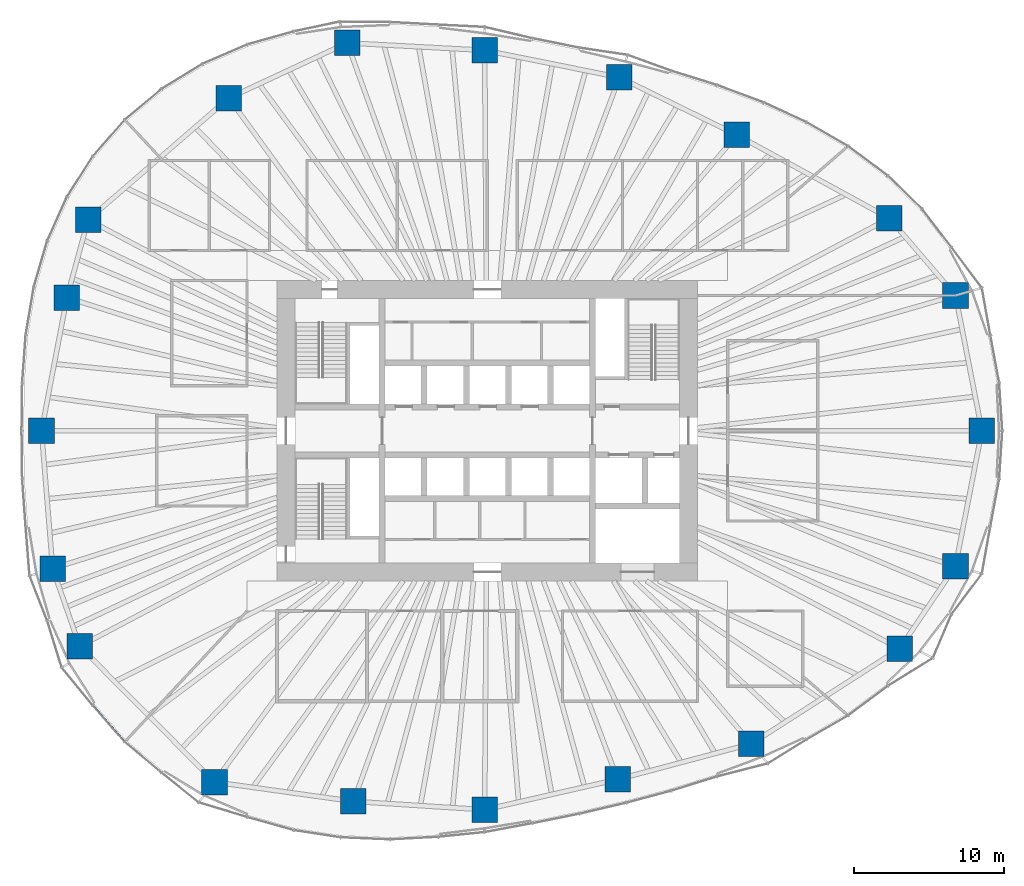
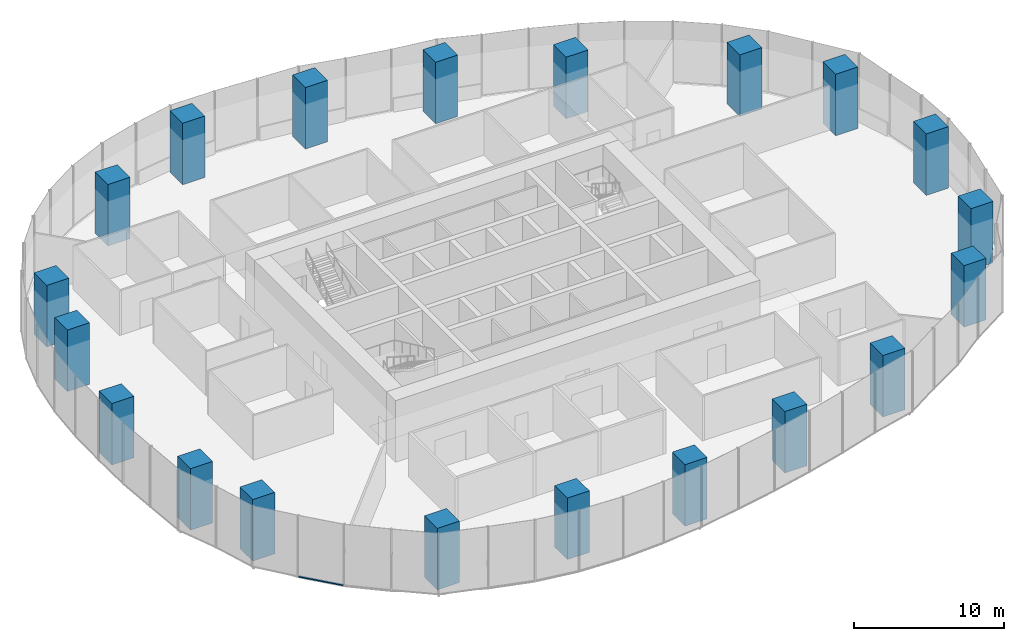
# One storey, part 1 of 19: 20 columns, 1 member, 1 element without a shape of its own.
"""IFC4 building model written with IfcOpenShell, lengths in metres."""

from ifc_helpers import new_model, si_unit, direction, frame, origin, origin_2d, place, context, subcontext, project, spatial, rectangle, extrude, material, material_profile, profile_set, type_object, element, aggregate, save


model = new_model("IFC4")

# Units and contexts
model_context = context("Model", 3, precision=1e-05, world=origin(), true_north=direction((0.0, 1.0)))
body_context = subcontext(model_context, "Body", "Model", "MODEL_VIEW")
ifc_project = project(units=[si_unit("LENGTHUNIT", "METRE"), si_unit("AREAUNIT", "SQUARE_METRE"), si_unit("VOLUMEUNIT", "CUBIC_METRE"), si_unit("PLANEANGLEUNIT", "RADIAN"), si_unit("MASSUNIT", "GRAM", prefix="KILO")], contexts=[model_context])

# Site, building, storey
site_placement = place(None, origin())
site = spatial("IfcSite", under=ifc_project, at=site_placement, CompositionType="ELEMENT")
building_placement = place(site_placement, origin())
building = spatial("IfcBuilding", under=site, at=building_placement, Name="Ghaith Harvest Tower", CompositionType="ELEMENT")
storey_placement = place(building_placement, frame((0.0, 0.0, 75.0)))
storey = spatial("IfcBuildingStorey", under=building, at=storey_placement, Name="L15", CompositionType="ELEMENT", Elevation=75.0)

# Columns
ifc_material_1 = material(Name="Concrete C70/85", Category="concrete")
ifc_material_profile_1 = material_profile(ifc_material_1, rectangle(XDim=1.699951171875, YDim=1.699951171875, at=origin_2d()), Name="RC1700X1700")
ifc_profile_set_1 = profile_set([ifc_material_profile_1], Name="Concrete C70/85")
column_type = type_object("IfcColumnType", Name="TC2 RC1700X1700", PredefinedType="COLUMN", material=ifc_profile_set_1)
for number, where, z_axis, x_axis, name in (
    (1, (32.925048828125, 0.0, 0.0), (0.0, 0.0, 1.0), (1.0, 0.0, 0.0), "Perimeter column C01"),
    (2, (31.166015625, 9.008056640625, 0.0), (0.0, 0.0, 1.0), (1.0, 0.0, 0.0), "Perimeter column C02"),
    (3, (26.763916015625, 14.14697265625, 0.0), (0.0, 0.0, 1.0), (1.0, 0.0, 0.0), "Perimeter column C03"),
    (4, (16.60791015625, 19.695068359375, 0.0), (0.0, 0.0, 1.0), (1.0, 0.0, 0.0), "Perimeter column C04"),
    (5, (8.794921875, 23.527099609375, 0.0), (0.0, 0.0, 1.0), (1.0, 0.0, 0.0), "Perimeter column C05"),
    (6, (-0.173095703125, 25.326904296875, 0.0), (0.0, 0.0, 1.0), (1.0, 0.0, 0.0), "Perimeter column C06"),
    (7, (-9.325927734375, 25.821044921875, 0.0), (0.0, 0.0, 1.0), (1.0, 0.0, 0.0), "Perimeter column C07"),
    (8, (-17.201904296875, 22.14990234375, 0.0), (0.0, 0.0, 1.0), (1.0, 0.0, 0.0), "Perimeter column C08"),
    (9, (-26.572998046875, 14.0458984375, 0.0), (0.0, 0.0, 1.0), (1.0, 0.0, 0.0), "Perimeter column C09"),
    (10, (-27.98291015625, 8.867919921875, 0.0), (0.0, 0.0, 1.0), (1.0, 0.0, 0.0), "Perimeter column C10"),
    (11, (-29.675048828125, 0.0, 0.0), (0.0, 0.0, 1.0), (1.0, 0.0, 0.0), "Perimeter column C11"),
    (12, (-28.929931640625, -9.16796875, 0.0), (0.0, 0.0, 1.0), (1.0, 0.0, 0.0), "Perimeter column C12"),
    (13, (-27.132080078125, -14.341064453125, 0.0), (0.0, 0.0, 1.0), (1.0, 0.0, 0.0), "Perimeter column C13"),
    (14, (-18.157958984375, -23.3798828125, 0.0), (0.0, 0.0, 1.0), (1.0, 0.0, 0.0), "Perimeter column C14"),
    (15, (-8.908935546875, -24.66796875, 0.0), (0.0, 0.0, 1.0), (1.0, 0.0, 0.0), "Perimeter column C15"),
    (16, (-0.173095703125, -25.22412109375, 0.0), (0.0, 0.0, 1.0), (1.0, 0.0, 0.0), "Perimeter column C16"),
    (17, (8.674072265625, -23.202880859375, 0.0), (0.0, 0.0, 1.0), (1.0, 0.0, 0.0), "Perimeter column C17"),
    (18, (17.572021484375, -20.8369140625, 0.0), (0.0, 0.0, 1.0), (1.0, 0.0, 0.0), "Perimeter column C18"),
    (19, (27.448974609375, -14.509033203125, 0.0), (0.0, 0.0, 1.0), (1.0, 0.0, 0.0), "Perimeter column C19"),
    (20, (31.166015625, -9.008056640625, 0.0), (0.0, 0.0, 1.0), (1.0, 0.0, 0.0), "Perimeter column C20"),
):
    element("IfcColumn", number, at=place(storey_placement, frame(where, z_axis=z_axis, x_axis=x_axis)), inside=storey, type_object=column_type, Name=name, PredefinedType="COLUMN", context=body_context, shape_type="SweptSolid", body=[
        extrude(rectangle(XDim=1.699951171875, YDim=1.699951171875, at=origin_2d()), origin(), (0.0, 0.0, 1.0), 5.0),
    ])

# Curtain wall, member
ifc_material_2 = material(Name="Black anodised aluminium and fritted glass", Category="aluminium")
curtain_wall_type = type_object("IfcCurtainWallType", Name="CW-F CURTAIN WALL", PredefinedType="NOTDEFINED", material=ifc_material_2)
curtain_wall_placement = place(storey_placement, origin())
curtain_wall = element("IfcCurtainWall", 21, at=curtain_wall_placement, inside=storey, type_object=curtain_wall_type, Name="Curtain wall CW-F bay 13 L15", PredefinedType="NOTDEFINED")
ifc_material_3 = material(Name="Aluminium, black anodised", Category="aluminium")
ifc_material_profile_2 = material_profile(ifc_material_3, rectangle(XDim=0.139892578125, YDim=0.080078125, at=origin_2d()), Name="CW-F TRANSOM 140x80")
ifc_profile_set_2 = profile_set([ifc_material_profile_2], Name="Aluminium, black anodised")
member_type = type_object("IfcMemberType", Name="CW-F TRANSOM 140x80", PredefinedType="USERDEFINED", material=ifc_profile_set_2)
member_placement = place(storey_placement, frame((-26.23681640625, -18.30419921875, 0.0400390625), z_axis=(0.65923052982, -0.751940894322, 0.0), x_axis=(0.751940894322, 0.65923052982, 0.0)))
member = element("IfcMember", 22, at=member_placement, type_object=member_type, Name="CW-F transom 1 bay 13 L15", ObjectType="TRANSOM", PredefinedType="USERDEFINED", context=body_context, shape_type="SweptSolid", body=[
    extrude(rectangle(XDim=0.139892578125, YDim=0.080078125, at=origin_2d()), origin(), (0.0, 0.0, 1.0), 3.1416015625),
])
aggregate(curtain_wall, [member])

save(model, "model.ifc")
